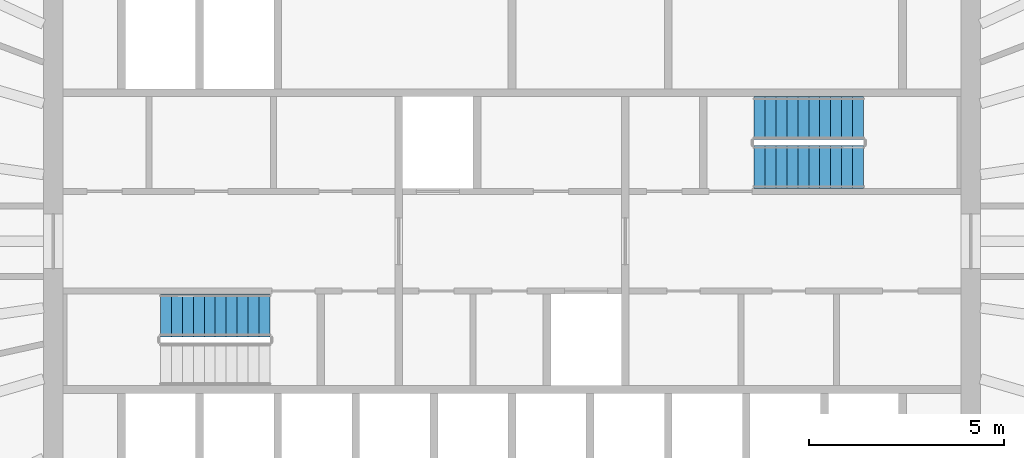
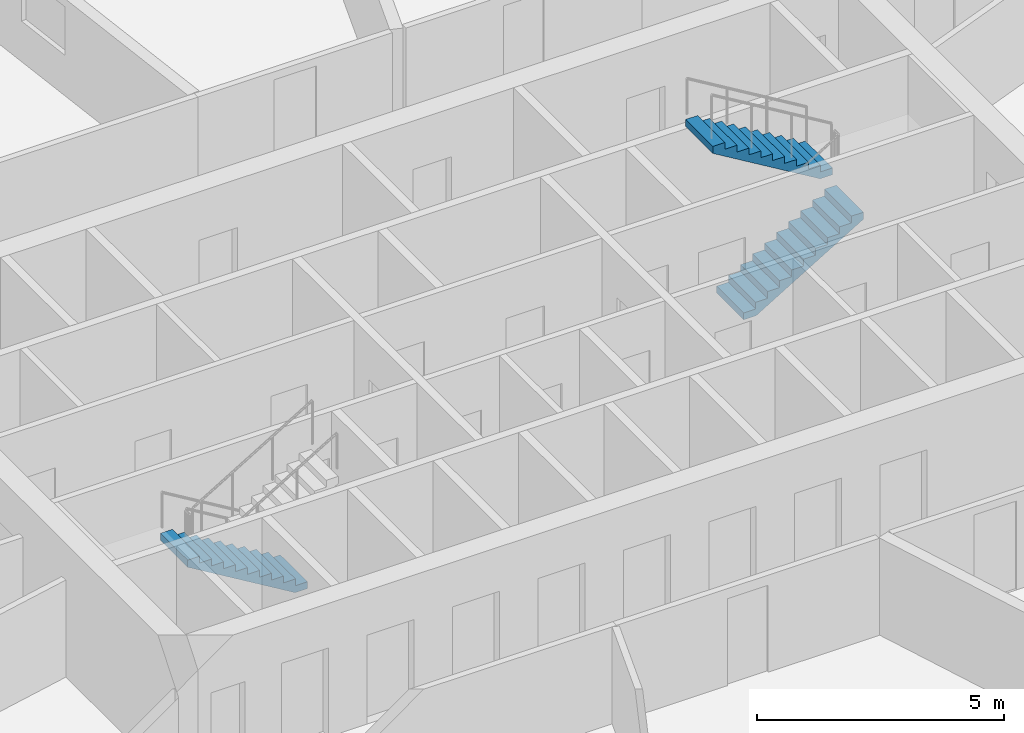
# One storey, part 11 of 12: 3 stair flights, 2 elements without a shape of their own.
"""IFC4 building model written with IfcOpenShell, lengths in metres."""

from ifc_helpers import new_model, si_unit, direction, frame, origin, place, context, subcontext, project, spatial, polyline, outline, extrude, material, type_object, element, aggregate, save


model = new_model("IFC4")

# Units and contexts
model_context = context("Model", 3, precision=1e-05, world=origin(), true_north=direction((0.0, 1.0)))
body_context = subcontext(model_context, "Body", "Model", "MODEL_VIEW")
ifc_project = project(units=[si_unit("LENGTHUNIT", "METRE"), si_unit("AREAUNIT", "SQUARE_METRE"), si_unit("VOLUMEUNIT", "CUBIC_METRE"), si_unit("PLANEANGLEUNIT", "RADIAN"), si_unit("MASSUNIT", "GRAM", prefix="KILO")], contexts=[model_context])

# Site, building, storey
site_placement = place(None, origin())
site = spatial("IfcSite", under=ifc_project, at=site_placement, CompositionType="ELEMENT")
building_placement = place(site_placement, origin())
building = spatial("IfcBuilding", under=site, at=building_placement, Name="Siaravel Broadcast Tower", CompositionType="ELEMENT")
storey_placement = place(building_placement, frame((0.0, 0.0, 111.89990234375)))
storey = spatial("IfcBuildingStorey", under=building, at=storey_placement, Name="L26", CompositionType="ELEMENT", Elevation=111.89990234375)

# Stair, stair flight
ifc_material = material(Name="Concrete C40/50", Category="concrete")
stair_type = type_object("IfcStairType", Name="Core exit stair", PredefinedType="HALF_TURN_STAIR", material=ifc_material)
stair_1_placement = place(storey_placement, origin())
stair_1 = element("IfcStair", 1, at=stair_1_placement, inside=storey, type_object=stair_type, Name="L26 Exit stair ST-1", PredefinedType="HALF_TURN_STAIR")
stair_flight_type = type_object("IfcStairFlightType", Name="Stair flight 1100", PredefinedType="STRAIGHT", material=ifc_material)
stair_flight_1_placement = place(storey_placement, frame((-6.199951171875, -1.89990234375, 0.0), z_axis=(0.0, 0.0, 1.0), x_axis=(-1.0, 0.0, 0.0)))
stair_flight_1 = element("IfcStairFlight", 2, at=stair_flight_1_placement, type_object=stair_flight_type, Name="ST-1 flight 1", NumberOfRisers=11, NumberOfTreads=10, PredefinedType="STRAIGHT", RiserHeight=0.1681818, TreadLength=0.28, context=body_context, shape_type="SweptSolid", body=[
    extrude(outline(polyline([(0.0, 0.0), (0.0, 0.168212890625), (0.280029296875, 0.168212890625), (0.280029296875, 0.33642578125), (0.56005859375, 0.33642578125), (0.56005859375, 0.504638671875), (0.840087890625, 0.504638671875), (0.840087890625, 0.672607421875), (1.1201171875, 0.672607421875), (1.1201171875, 0.8408203125), (1.39990234375, 0.8408203125), (1.39990234375, 1.009033203125), (1.679931640625, 1.009033203125), (1.679931640625, 1.17724609375), (1.9599609375, 1.17724609375), (1.9599609375, 1.345458984375), (2.239990234375, 1.345458984375), (2.239990234375, 1.513671875), (2.52001953125, 1.513671875), (2.52001953125, 1.681884765625), (2.800048828125, 1.681884765625), (2.800048828125, 1.85009765625), (2.800048828125, 1.5068359375), (0.291015625, 0.0), (0.0, 0.0)])), frame((0.0, 0.550048828125, 0.0), z_axis=(0.0, -1.0, 0.0), x_axis=(1.0, 0.0, 0.0)), (0.0, 0.0, 1.0), 1.10009765625),
])
aggregate(stair_1, [stair_flight_1])

# Stair, stair flights
stair_2_placement = place(storey_placement, origin())
stair_2 = element("IfcStair", 3, at=stair_2_placement, inside=storey, type_object=stair_type, Name="L26 Exit stair ST-2", PredefinedType="HALF_TURN_STAIR")
stair_flight_2_placement = place(storey_placement, frame((6.199951171875, 1.89990234375, 0.0), z_axis=(0.0, 0.0, 1.0), x_axis=(1.0, 0.0, 0.0)))
stair_flight_2 = element("IfcStairFlight", 4, at=stair_flight_2_placement, type_object=stair_flight_type, Name="ST-2 flight 1", NumberOfRisers=11, NumberOfTreads=10, PredefinedType="STRAIGHT", RiserHeight=0.1681818, TreadLength=0.28, context=body_context, shape_type="SweptSolid", body=[
    extrude(outline(polyline([(0.0, 0.0), (0.0, 0.168212890625), (0.280029296875, 0.168212890625), (0.280029296875, 0.33642578125), (0.56005859375, 0.33642578125), (0.56005859375, 0.504638671875), (0.840087890625, 0.504638671875), (0.840087890625, 0.672607421875), (1.1201171875, 0.672607421875), (1.1201171875, 0.8408203125), (1.39990234375, 0.8408203125), (1.39990234375, 1.009033203125), (1.679931640625, 1.009033203125), (1.679931640625, 1.17724609375), (1.9599609375, 1.17724609375), (1.9599609375, 1.345458984375), (2.239990234375, 1.345458984375), (2.239990234375, 1.513671875), (2.52001953125, 1.513671875), (2.52001953125, 1.681884765625), (2.800048828125, 1.681884765625), (2.800048828125, 1.85009765625), (2.800048828125, 1.5068359375), (0.291015625, 0.0), (0.0, 0.0)])), frame((0.0, 0.550048828125, 0.0), z_axis=(0.0, -1.0, 0.0), x_axis=(1.0, 0.0, 0.0)), (0.0, 0.0, 1.0), 1.10009765625),
])
stair_flight_3_placement = place(storey_placement, frame((9.0, 3.14990234375, 1.85009765625), z_axis=(0.0, 0.0, 1.0), x_axis=(-1.0, 0.0, 0.0)))
stair_flight_3 = element("IfcStairFlight", 5, at=stair_flight_3_placement, type_object=stair_flight_type, Name="ST-2 flight 2", NumberOfRisers=11, NumberOfTreads=10, PredefinedType="STRAIGHT", RiserHeight=0.1681818, TreadLength=0.28, context=body_context, shape_type="SweptSolid", body=[
    extrude(outline(polyline([(0.0, 0.0), (0.0, 0.168212890625), (0.280029296875, 0.168212890625), (0.280029296875, 0.33642578125), (0.56005859375, 0.33642578125), (0.56005859375, 0.504638671875), (0.840087890625, 0.504638671875), (0.840087890625, 0.672607421875), (1.1201171875, 0.672607421875), (1.1201171875, 0.8408203125), (1.39990234375, 0.8408203125), (1.39990234375, 1.009033203125), (1.679931640625, 1.009033203125), (1.679931640625, 1.17724609375), (1.9599609375, 1.17724609375), (1.9599609375, 1.345458984375), (2.239990234375, 1.345458984375), (2.239990234375, 1.513671875), (2.52001953125, 1.513671875), (2.52001953125, 1.681884765625), (2.800048828125, 1.681884765625), (2.800048828125, 1.85009765625), (2.800048828125, 1.5068359375), (0.291015625, 0.0), (0.0, 0.0)])), frame((0.0, 0.550048828125, 0.0), z_axis=(0.0, -1.0, 0.0), x_axis=(1.0, 0.0, 0.0)), (0.0, 0.0, 1.0), 1.10009765625),
])
aggregate(stair_2, [stair_flight_2, stair_flight_3])

save(model, "model.ifc")
